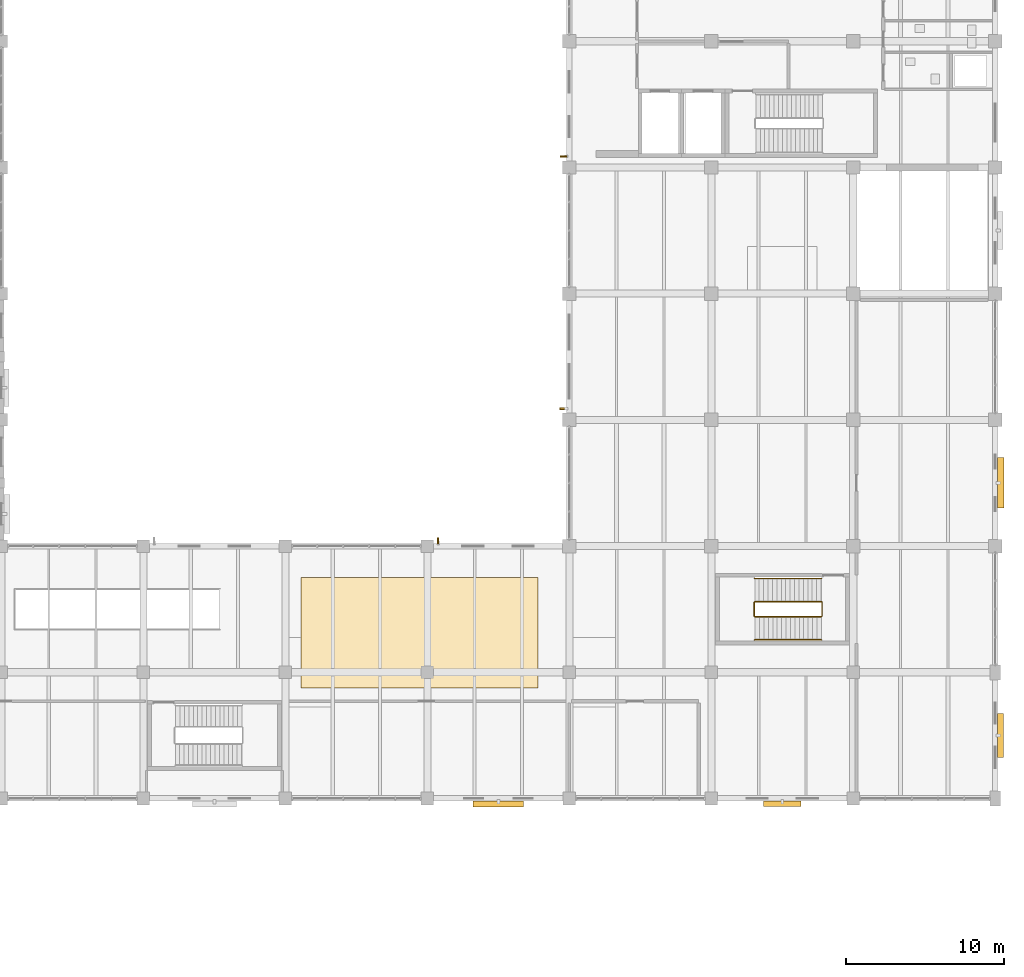
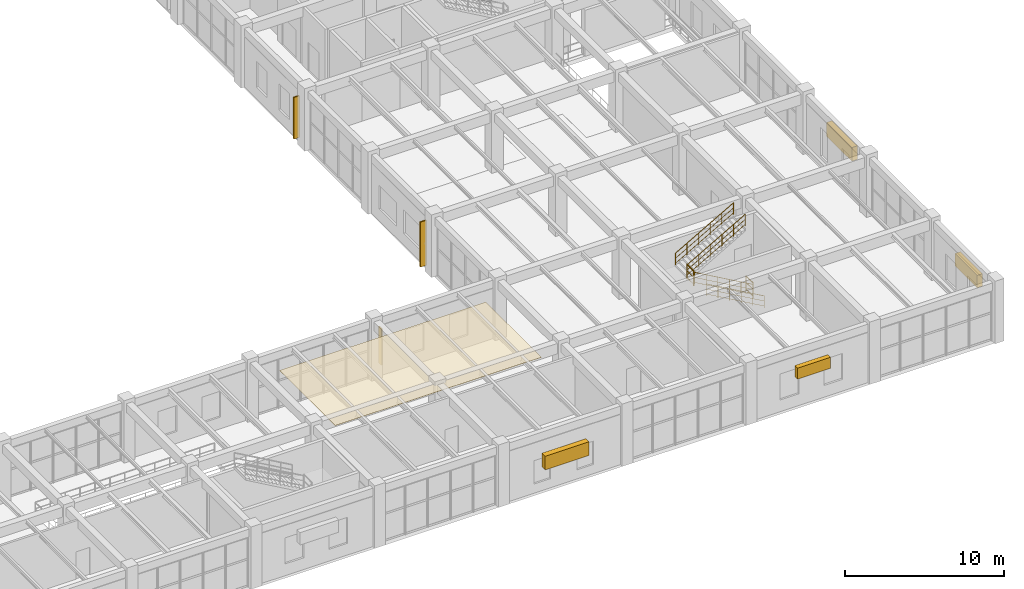
# One storey, part 175 of 178: 7 shading devices, 6 railings, 1 covering.
"""IFC4 building model written with IfcOpenShell, lengths in metres."""

from ifc_helpers import new_model, si_unit, derived_unit, direction, frame, origin, origin_2d, place, context, subcontext, project, spatial, polyline, rectangle, circle, outline, extrude, material, layer, layer_set, type_object, element, save


model = new_model("IFC4")

# Units and contexts
model_context = context("Model", 3, precision=1e-05, world=origin(), true_north=direction((0.0, 1.0)))
body_context = subcontext(model_context, "Body", "Model", "MODEL_VIEW")
ifc_project = project(units=[si_unit("LENGTHUNIT", "METRE"), si_unit("AREAUNIT", "SQUARE_METRE"), si_unit("VOLUMEUNIT", "CUBIC_METRE"), si_unit("PLANEANGLEUNIT", "RADIAN"), si_unit("MASSUNIT", "GRAM", prefix="KILO"), derived_unit("THERMALTRANSMITTANCEUNIT", [(si_unit("MASSUNIT", "GRAM", prefix="KILO"), 1), (si_unit("TIMEUNIT", "SECOND"), -3), (si_unit("THERMODYNAMICTEMPERATUREUNIT", "KELVIN"), -1)])], contexts=[model_context])

# Site, building, storey
site_placement = place(None, origin())
site = spatial("IfcSite", under=ifc_project, at=site_placement, CompositionType="ELEMENT")
building_placement = place(site_placement, origin())
building = spatial("IfcBuilding", under=site, at=building_placement, Name="Zhenchuan Archway Interchange", CompositionType="ELEMENT")
storey_placement = place(building_placement, frame((0.0, 0.0, 5.39990234375)))
storey = spatial("IfcBuildingStorey", under=building, at=storey_placement, Name="L01", CompositionType="ELEMENT", Elevation=5.39990234375)

# Covering
ifc_material_1 = material(Name="Anodised Aluminium", Category="aluminium")
ifc_layer = layer(ifc_material_1, 0.02490234375)
ifc_layer_set = layer_set([ifc_layer], Name="Anodised Aluminium")
covering_type = type_object("IfcCoveringType", Name="COV_CLG_ACOUSTIC", PredefinedType="CEILING", material=ifc_layer_set)
covering_placement = place(storey_placement, frame((0.0, 0.0, 4.455078125)))
element("IfcCovering", 1, at=covering_placement, inside=storey, type_object=covering_type, Name="Suspended acoustic ceiling grid 03 (L01)", PredefinedType="CEILING", context=body_context, shape_type="SweptSolid", body=[
    extrude(outline(polyline([(127.0, 15.0), (142.0, 15.0), (142.0, 22.0), (127.0, 22.0), (127.0, 15.0)])), origin(), (0.0, 0.0, 1.0), 0.02490234375),
])

# Railings
ifc_material_2 = material(Name="Painted Galvanised Steel", Category="steel")
railing_type_1 = type_object("IfcRailingType", Name="RL_GUARD_1150", PredefinedType="GUARDRAIL", material=ifc_material_2)
for number, where, name in (
    (2, (155.715087890625, 19.56494140625, 2.400146484375), "Stair ST-O4 half-landing slot guard (L01)"),
    (3, (160.014892578125, 19.56494140625, 0.0), "Stair ST-O4 floor well guard (L01)"),
):
    element("IfcRailing", number, at=place(storey_placement, frame(where)), inside=storey, type_object=railing_type_1, Name=name, PredefinedType="GUARDRAIL", context=body_context, shape_type="SweptSolid", body=[
        extrude(circle(Radius=0.02392578125, at=origin_2d()), frame((0.0, 0.0, 1.1259765625), z_axis=(0.0, 1.0, 0.0), x_axis=(-1.0, 0.0, 0.0)), (0.0, 0.0, 1.0), 0.8701171875),
        extrude(circle(Radius=0.01611328125, at=origin_2d()), frame((0.0, 0.0, 0.63232421875), z_axis=(0.0, 1.0, 0.0), x_axis=(-1.0, 0.0, 0.0)), (0.0, 0.0, 1.0), 0.8701171875),
        extrude(circle(Radius=0.01611328125, at=origin_2d()), frame((0.0, 0.0, 0.1201171875), z_axis=(0.0, 1.0, 0.0), x_axis=(-1.0, 0.0, 0.0)), (0.0, 0.0, 1.0), 0.8701171875),
        extrude(circle(Radius=0.02099609375, at=origin_2d()), origin(), (0.0, 0.0, 1.0), 1.1259765625),
        extrude(circle(Radius=0.02099609375, at=origin_2d()), frame((0.0, 0.8701171875, 0.0)), (0.0, 0.0, 1.0), 1.1259765625),
    ])
ifc_material_3 = material(Name="Stainless Steel 304", Category="steel")
railing_type_2 = type_object("IfcRailingType", Name="RL_HAND_920", PredefinedType="HANDRAIL", material=ifc_material_3)
for number, where, name in (
    (4, (159.97509765625, 18.054931640625, 0.150146484375), "Stair ST-O4 handrail 1 (L01)"),
    (5, (159.97509765625, 19.52490234375, 0.150146484375), "Stair ST-O4 handrail 2 (L01)"),
):
    element("IfcRailing", number, at=place(storey_placement, frame(where)), inside=storey, type_object=railing_type_2, Name=name, PredefinedType="HANDRAIL", context=body_context, shape_type="SweptSolid", body=[
        extrude(circle(Radius=0.02392578125, at=origin_2d()), frame((0.0, 0.0, 0.89599609375), z_axis=(-0.86927486562, 0.0, 0.494329048308), x_axis=(0.0, -1.0, 0.0)), (0.0, 0.0, 1.0), 4.85498046875),
        extrude(circle(Radius=0.01611328125, at=origin_2d()), frame((0.0, 0.0, 0.505859375), z_axis=(-0.86927486562, 0.0, 0.494329048308), x_axis=(0.0, -1.0, 0.0)), (0.0, 0.0, 1.0), 4.85498046875),
        extrude(circle(Radius=0.01611328125, at=origin_2d()), frame((0.0, 0.0, 0.1201171875), z_axis=(-0.86927486562, 0.0, 0.494329048308), x_axis=(0.0, -1.0, 0.0)), (0.0, 0.0, 1.0), 4.85498046875),
        extrude(circle(Radius=0.02099609375, at=origin_2d()), origin(), (0.0, 0.0, 1.0), 0.89599609375),
        extrude(circle(Radius=0.02099609375, at=origin_2d()), frame((-0.843994140625, 0.0, 0.47998046875)), (0.0, 0.0, 1.0), 0.89599609375),
        extrude(circle(Radius=0.02099609375, at=origin_2d()), frame((-1.68798828125, 0.0, 0.9599609375)), (0.0, 0.0, 1.0), 0.89599609375),
        extrude(circle(Radius=0.02099609375, at=origin_2d()), frame((-2.5322265625, 0.0, 1.43994140625)), (0.0, 0.0, 1.0), 0.89599609375),
        extrude(circle(Radius=0.02099609375, at=origin_2d()), frame((-3.376220703125, 0.0, 1.919921875)), (0.0, 0.0, 1.0), 0.89599609375),
        extrude(circle(Radius=0.02099609375, at=origin_2d()), frame((-4.22021484375, 0.0, 2.39990234375)), (0.0, 0.0, 1.0), 0.89599609375),
    ])
for number, where, name in (
    (6, (155.7548828125, 20.47509765625, 2.550048828125), "Stair ST-O4 handrail 3 (L01)"),
    (7, (155.7548828125, 21.945068359375, 2.550048828125), "Stair ST-O4 handrail 4 (L01)"),
):
    element("IfcRailing", number, at=place(storey_placement, frame(where)), inside=storey, type_object=railing_type_2, Name=name, PredefinedType="HANDRAIL", context=body_context, shape_type="SweptSolid", body=[
        extrude(circle(Radius=0.02392578125, at=origin_2d()), frame((0.0, 0.0, 0.89599609375), z_axis=(0.869253256267, 0.0, 0.494367046301), x_axis=(0.0, 1.0, 0.0)), (0.0, 0.0, 1.0), 4.85498046875),
        extrude(circle(Radius=0.01611328125, at=origin_2d()), frame((0.0, 0.0, 0.505859375), z_axis=(0.869253256267, 0.0, 0.494367046301), x_axis=(0.0, 1.0, 0.0)), (0.0, 0.0, 1.0), 4.85498046875),
        extrude(circle(Radius=0.01611328125, at=origin_2d()), frame((0.0, 0.0, 0.1201171875), z_axis=(0.869253256267, 0.0, 0.494367046301), x_axis=(0.0, 1.0, 0.0)), (0.0, 0.0, 1.0), 4.85498046875),
        extrude(circle(Radius=0.02099609375, at=origin_2d()), origin(), (0.0, 0.0, 1.0), 0.89599609375),
        extrude(circle(Radius=0.02099609375, at=origin_2d()), frame((0.843994140625, 0.0, 0.47998046875)), (0.0, 0.0, 1.0), 0.89599609375),
        extrude(circle(Radius=0.02099609375, at=origin_2d()), frame((1.68798828125, 0.0, 0.9599609375)), (0.0, 0.0, 1.0), 0.89599609375),
        extrude(circle(Radius=0.02099609375, at=origin_2d()), frame((2.5322265625, 0.0, 1.440185546875)), (0.0, 0.0, 1.0), 0.89599609375),
        extrude(circle(Radius=0.02099609375, at=origin_2d()), frame((3.376220703125, 0.0, 1.920166015625)), (0.0, 0.0, 1.0), 0.89599609375),
        extrude(circle(Radius=0.02099609375, at=origin_2d()), frame((4.22021484375, 0.0, 2.400146484375)), (0.0, 0.0, 1.0), 0.89599609375),
    ])

# Shading devices
ifc_material_4 = material(Name="Terracotta Ceramic", Category="masonry")
shading_device_type_1 = type_object("IfcShadingDeviceType", Name="SHD_FIN_1", PredefinedType="USERDEFINED", material=ifc_material_4)
shading_device_1_placement = place(storey_placement, frame((143.635986328125, 48.702880859375, 0.330078125), z_axis=(0.0, 0.0, 1.0), x_axis=(0.0, 1.0, 0.0)))
element("IfcShadingDevice", 8, at=shading_device_1_placement, inside=storey, type_object=shading_device_type_1, Name="Terracotta vertical solar fin L01-057", ObjectType="FINS", PredefinedType="USERDEFINED", context=body_context, shape_type="SweptSolid", body=[
    extrude(rectangle(XDim=0.090087890625, YDim=0.419921875, at=origin_2d()), origin(), (0.0, 0.0, 1.0), 3.199951171875),
])
shading_device_type_2 = type_object("IfcShadingDeviceType", Name="SHD_FIN_2", PredefinedType="USERDEFINED", material=ifc_material_4)
shading_device_2_placement = place(storey_placement, frame((135.677978515625, 24.333984375, 0.5302734375), z_axis=(0.0, 0.0, 1.0), x_axis=(1.0, 0.0, 0.0)))
element("IfcShadingDevice", 9, at=shading_device_2_placement, inside=storey, type_object=shading_device_type_2, Name="Terracotta vertical solar fin L01-067", ObjectType="FINS", PredefinedType="USERDEFINED", context=body_context, shape_type="SweptSolid", body=[
    extrude(rectangle(XDim=0.080078125, YDim=0.360107421875, at=origin_2d()), origin(), (0.0, 0.0, 1.0), 2.800048828125),
])
shading_device_type_3 = type_object("IfcShadingDeviceType", Name="SHD_FIN_3", PredefinedType="USERDEFINED", material=ifc_material_4)
shading_device_3_placement = place(storey_placement, frame((143.615966796875, 32.702880859375, 0.2001953125), z_axis=(0.0, 0.0, 1.0), x_axis=(0.0, 1.0, 0.0)))
element("IfcShadingDevice", 10, at=shading_device_3_placement, inside=storey, type_object=shading_device_type_3, Name="Terracotta vertical solar fin L01-068", ObjectType="FINS", PredefinedType="USERDEFINED", context=body_context, shape_type="SweptSolid", body=[
    extrude(rectangle(XDim=0.10009765625, YDim=0.4599609375, at=origin_2d()), origin(), (0.0, 0.0, 1.0), 3.4599609375),
])
shading_device_type_4 = type_object("IfcShadingDeviceType", Name="SHD_LOUVRE_1", PredefinedType="JALOUSIE", material=ifc_material_1)
shading_device_4_placement = place(storey_placement, frame((171.343994140625, 12.0, 2.27490234375), z_axis=(0.0, 0.0, 1.0), x_axis=(0.0, -1.0, 0.0)))
element("IfcShadingDevice", 11, at=shading_device_4_placement, inside=storey, type_object=shading_device_type_4, Name="Monsoon storm-louvre jalousie L01-045", PredefinedType="JALOUSIE", context=body_context, shape_type="SweptSolid", body=[
    extrude(rectangle(XDim=2.800048828125, YDim=0.3798828125, at=origin_2d()), origin(), (0.0, 0.0, 1.0), 0.949951171875),
])
shading_device_type_5 = type_object("IfcShadingDeviceType", Name="SHD_LOUVRE_2", PredefinedType="JALOUSIE", material=ifc_material_1)
shading_device_5_placement = place(storey_placement, frame((157.5, 7.676025390625, 2.324951171875), z_axis=(0.0, 0.0, 1.0), x_axis=(-1.0, 0.0, 0.0)))
element("IfcShadingDevice", 12, at=shading_device_5_placement, inside=storey, type_object=shading_device_type_5, Name="Monsoon storm-louvre jalousie L01-046", PredefinedType="JALOUSIE", context=body_context, shape_type="SweptSolid", body=[
    extrude(rectangle(XDim=2.39990234375, YDim=0.340087890625, at=origin_2d()), origin(), (0.0, 0.0, 1.0), 0.85009765625),
])
shading_device_type_6 = type_object("IfcShadingDeviceType", Name="SHD_LOUVRE_3", PredefinedType="JALOUSIE", material=ifc_material_1)
for number, where, z_axis, x_axis, name in (
    (13, (171.35400390625, 28.0, 2.42529296875), (0.0, 0.0, 1.0), (0.0, -1.0, 0.0), "Monsoon storm-louvre jalousie L01-044"),
    (14, (139.5, 7.64599609375, 1.8251953125), (0.0, 0.0, 1.0), (-1.0, 0.0, 0.0), "Monsoon storm-louvre jalousie L01-047"),
):
    element("IfcShadingDevice", number, at=place(storey_placement, frame(where, z_axis=z_axis, x_axis=x_axis)), inside=storey, type_object=shading_device_type_6, Name=name, PredefinedType="JALOUSIE", context=body_context, shape_type="SweptSolid", body=[
        extrude(rectangle(XDim=3.199951171875, YDim=0.39990234375, at=origin_2d()), origin(), (0.0, 0.0, 1.0), 1.050048828125),
    ])

save(model, "model.ifc")
